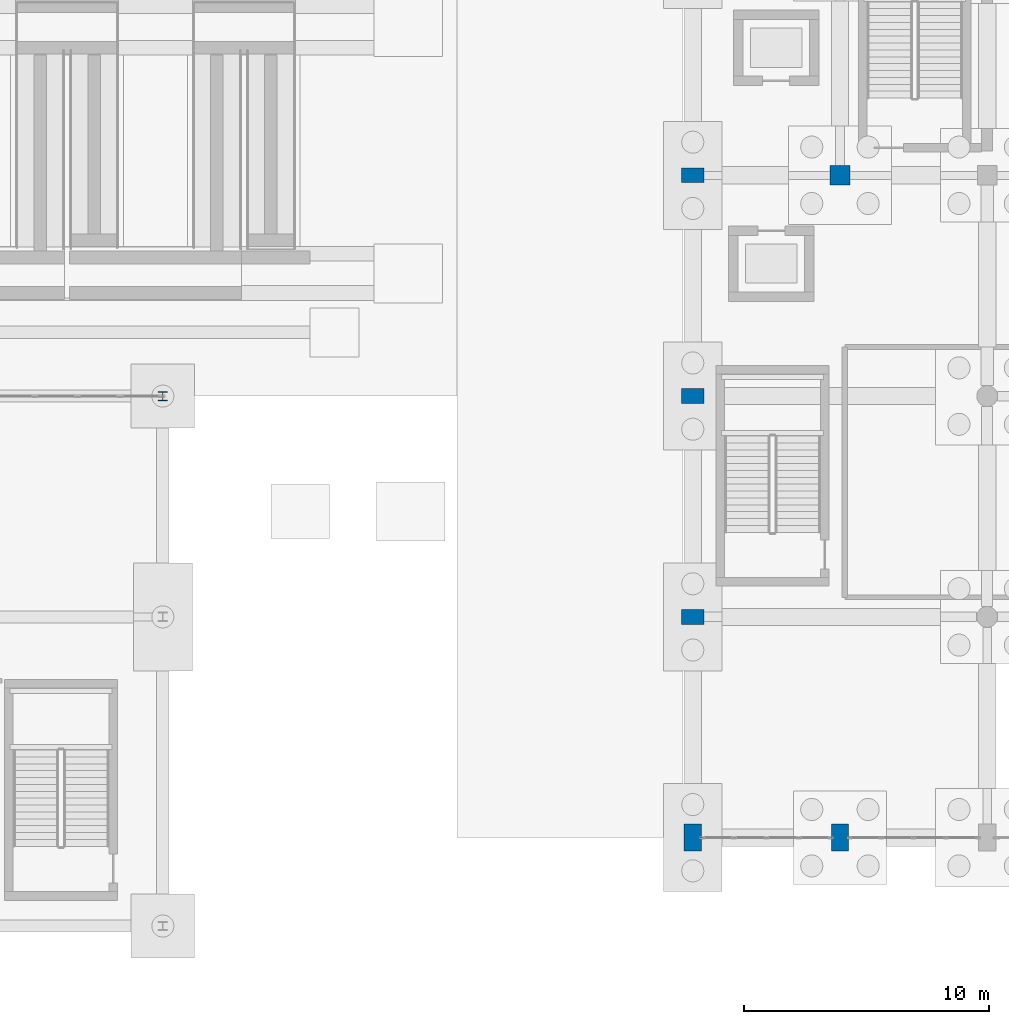
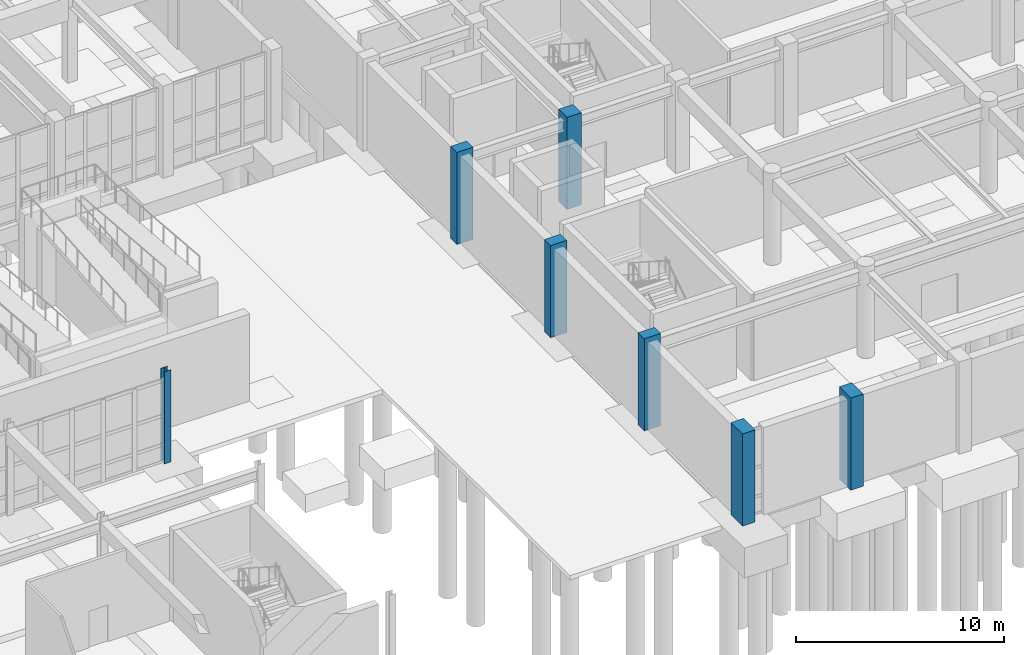
# One storey, part 13 of 69: 7 columns.
"""IFC4 building model written with IfcOpenShell, lengths in metres."""

from ifc_helpers import new_model, si_unit, direction, frame, origin, origin_2d, place, context, subcontext, project, spatial, rectangle, i_section, extrude, material, material_profile, profile_set, type_object, element, save


model = new_model("IFC4")

# Units and contexts
model_context = context("Model", 3, precision=1e-05, world=origin(), true_north=direction((0.0, 1.0)))
body_context = subcontext(model_context, "Body", "Model", "MODEL_VIEW")
ifc_project = project(units=[si_unit("LENGTHUNIT", "METRE"), si_unit("AREAUNIT", "SQUARE_METRE"), si_unit("VOLUMEUNIT", "CUBIC_METRE"), si_unit("PLANEANGLEUNIT", "RADIAN"), si_unit("MASSUNIT", "GRAM", prefix="KILO")], contexts=[model_context])

# Site, building, storey
site_placement = place(None, origin())
site = spatial("IfcSite", under=ifc_project, at=site_placement, CompositionType="ELEMENT")
building_placement = place(site_placement, origin())
building = spatial("IfcBuilding", under=site, at=building_placement, Name="Vaelkrest Opera House", CompositionType="ELEMENT")
storey_placement = place(building_placement, frame((0.0, 0.0, -5.39990234375)))
storey = spatial("IfcBuildingStorey", under=building, at=storey_placement, Name="B1", CompositionType="ELEMENT", Elevation=-5.39990234375)

# Columns
ifc_material_1 = material(Name="Concrete C50/60", Category="concrete")
ifc_material_profile_1 = material_profile(ifc_material_1, rectangle(XDim=0.800048828125, YDim=0.800048828125, at=origin_2d()), Name="RC800X800")
ifc_profile_set_1 = profile_set([ifc_material_profile_1], Name="Concrete C50/60")
column_type_1 = type_object("IfcColumnType", Name="C04", PredefinedType="COLUMN", material=ifc_profile_set_1)
column_1_placement = place(storey_placement, frame((-24.0, -28.800048828125, 0.0), z_axis=(0.0, 0.0, 1.0), x_axis=(1.0, 0.0, 0.0)))
element("IfcColumn", 1, at=column_1_placement, inside=storey, type_object=column_type_1, Name="Column COL-V1-B1-0011", PredefinedType="COLUMN", context=body_context, shape_type="SweptSolid", body=[
    extrude(rectangle(XDim=0.800048828125, YDim=0.800048828125, at=origin_2d()), origin(), (0.0, 0.0, 1.0), 5.39990234375),
])
ifc_material_profile_2 = material_profile(ifc_material_1, rectangle(XDim=0.60009765625, YDim=0.89990234375, at=origin_2d()), Name="RC600X900")
ifc_profile_set_2 = profile_set([ifc_material_profile_2], Name="Concrete C50/60")
column_type_2 = type_object("IfcColumnType", Name="C06", PredefinedType="COLUMN", material=ifc_profile_set_2)
for number, where, z_axis, x_axis, name in (
    (2, (-30.0, -46.800048828125, 0.0), (0.0, 0.0, 1.0), (0.0, 1.0, 0.0), "Column COL-V1-B1-0002"),
    (3, (-30.0, -37.800048828125, 0.0), (0.0, 0.0, 1.0), (0.0, 1.0, 0.0), "Column COL-V1-B1-0003"),
    (4, (-30.0, -28.800048828125, 0.0), (0.0, 0.0, 1.0), (0.0, 1.0, 0.0), "Column COL-V1-B1-0004"),
):
    element("IfcColumn", number, at=place(storey_placement, frame(where, z_axis=z_axis, x_axis=x_axis)), inside=storey, type_object=column_type_2, Name=name, PredefinedType="COLUMN", context=body_context, shape_type="SweptSolid", body=[
        extrude(rectangle(XDim=0.60009765625, YDim=0.89990234375, at=origin_2d()), origin(), (0.0, 0.0, 1.0), 5.39990234375),
    ])
ifc_material_profile_3 = material_profile(ifc_material_1, rectangle(XDim=0.699951171875, YDim=1.10009765625, at=origin_2d()), Name="RC700X1100")
ifc_profile_set_3 = profile_set([ifc_material_profile_3], Name="Concrete C50/60")
column_type_3 = type_object("IfcColumnType", Name="C07", PredefinedType="COLUMN", material=ifc_profile_set_3)
for number, where, z_axis, x_axis, name in (
    (5, (-30.0, -55.800048828125, 0.0), (0.0, 0.0, 1.0), (1.0, 0.0, 0.0), "Column COL-V1-B1-0001"),
    (6, (-24.0, -55.800048828125, 0.0), (0.0, 0.0, 1.0), (1.0, 0.0, 0.0), "Column COL-V1-B1-0010"),
):
    element("IfcColumn", number, at=place(storey_placement, frame(where, z_axis=z_axis, x_axis=x_axis)), inside=storey, type_object=column_type_3, Name=name, PredefinedType="COLUMN", context=body_context, shape_type="SweptSolid", body=[
        extrude(rectangle(XDim=0.699951171875, YDim=1.10009765625, at=origin_2d()), origin(), (0.0, 0.0, 1.0), 5.39990234375),
    ])
ifc_material_2 = material(Name="Steel A992 Gr50", Category="steel")
ifc_material_profile_4 = material_profile(ifc_material_2, i_section(OverallWidth=0.3701171875, OverallDepth=0.360107421875, WebThickness=0.01220703125, FlangeThickness=0.019775390625, at=origin_2d()), Name="W14X99")
ifc_profile_set_4 = profile_set([ifc_material_profile_4], Name="Steel A992 Gr50")
column_type_4 = type_object("IfcColumnType", Name="C15", PredefinedType="COLUMN", material=ifc_profile_set_4)
column_2_placement = place(storey_placement, frame((-51.60009765625, -37.800048828125, 0.0), z_axis=(0.0, 0.0, 1.0), x_axis=(1.0, 0.0, 0.0)))
element("IfcColumn", 7, at=column_2_placement, inside=storey, type_object=column_type_4, Name="Column COL-V5-B1-1427", PredefinedType="COLUMN", context=body_context, shape_type="SweptSolid", body=[
    extrude(i_section(OverallWidth=0.3701171875, OverallDepth=0.360107421875, WebThickness=0.01220703125, FlangeThickness=0.019775390625, at=origin_2d()), origin(), (0.0, 0.0, 1.0), 5.39990234375),
])

save(model, "model.ifc")
